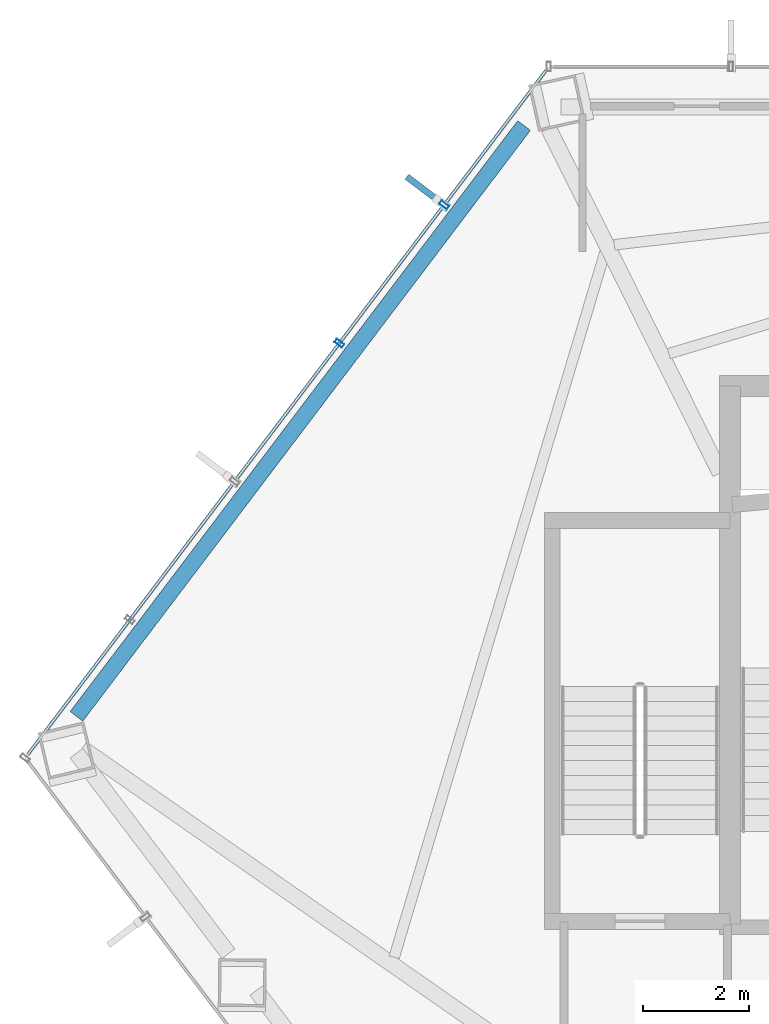
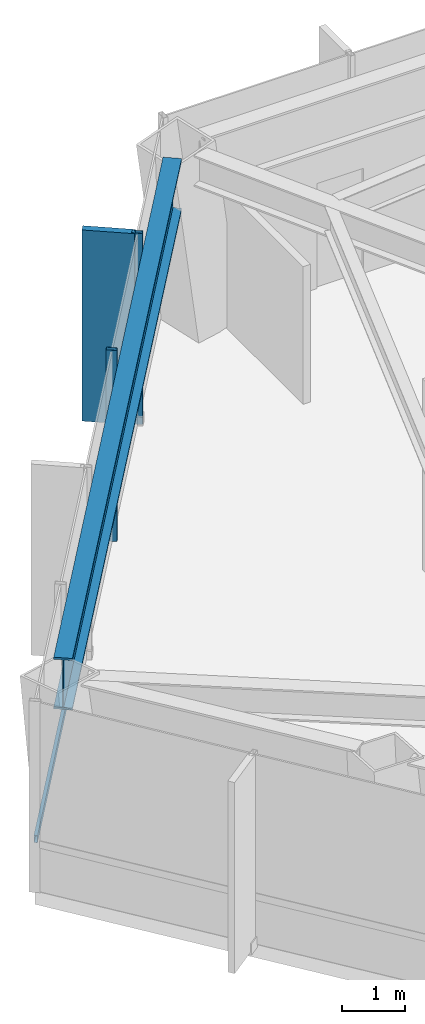
# One storey, part 11 of 25: 4 members, 1 beam, 1 element without a shape of its own.
"""IFC4 building model written with IfcOpenShell, lengths in metres."""

from ifc_helpers import new_model, si_unit, direction, frame, origin, origin_2d, place, context, subcontext, project, spatial, rectangle, hollow_rectangle, i_section, extrude, material, layer, layer_set, material_profile, profile_set, type_object, element, aggregate, save


model = new_model("IFC4")

# Units and contexts
model_context = context("Model", 3, precision=1e-05, world=origin(), true_north=direction((0.0, 1.0)))
body_context = subcontext(model_context, "Body", "Model", "MODEL_VIEW")
ifc_project = project(units=[si_unit("LENGTHUNIT", "METRE"), si_unit("AREAUNIT", "SQUARE_METRE"), si_unit("VOLUMEUNIT", "CUBIC_METRE"), si_unit("PLANEANGLEUNIT", "RADIAN"), si_unit("MASSUNIT", "GRAM", prefix="KILO")], contexts=[model_context])

# Site, building, storey
site_placement = place(None, origin())
site = spatial("IfcSite", under=ifc_project, at=site_placement, CompositionType="ELEMENT")
building_placement = place(site_placement, origin())
building = spatial("IfcBuilding", under=site, at=building_placement, Name="Zarrinselat Tower", CompositionType="ELEMENT")
storey_placement = place(building_placement, frame((0.0, 0.0, 105.06005859375)))
storey = spatial("IfcBuildingStorey", under=building, at=storey_placement, Name="L25", CompositionType="ELEMENT", Elevation=105.06005859375)

# Beam
ifc_material_1 = material(Name="Steel S460M", Category="steel")
ifc_material_profile_1 = material_profile(ifc_material_1, i_section(OverallWidth=0.302001953125, OverallDepth=1.008056640625, WebThickness=0.02099609375, FlangeThickness=0.0400390625, at=origin_2d()), Name="HEM 1000")
ifc_profile_set_1 = profile_set([ifc_material_profile_1], Name="Steel S460M")
beam_type = type_object("IfcBeamType", Name="BM-HEM1000", PredefinedType="BEAM", material=ifc_profile_set_1)
beam_placement = place(storey_placement, frame((16.211181640625, 37.18701171875, 3.225830078125), z_axis=(0.6038526688, 0.79709595055, 0.0), x_axis=(-0.79709595055, 0.6038526688, 0.0)))
element("IfcBeam", 1, at=beam_placement, inside=storey, type_object=beam_type, Name="L25 Perimeter Spandrel Girder SP05", PredefinedType="BEAM", context=body_context, shape_type="SweptSolid", body=[
    extrude(i_section(OverallWidth=0.302001953125, OverallDepth=1.008056640625, WebThickness=0.02099609375, FlangeThickness=0.0400390625, at=origin_2d()), origin(), (0.0, 0.0, 1.0), 14.047607421875),
])

# Curtain wall, members
ifc_material_2 = material(Name="Extruded Aluminium Alloy EN AW-6063 T6", Category="aluminium")
ifc_layer = layer(ifc_material_2, 0.18505859375)
ifc_layer_set = layer_set([ifc_layer], Name="Extruded Aluminium Alloy EN AW-6063 T6")
curtain_wall_type = type_object("IfcCurtainWallType", Name="CWS-OFF", PredefinedType="NOTDEFINED", material=ifc_layer_set)
curtain_wall_placement = place(storey_placement, origin())
curtain_wall = element("IfcCurtainWall", 2, at=curtain_wall_placement, inside=storey, type_object=curtain_wall_type, Name="L25 Unitised Curtain Wall CW-L25-E02", PredefinedType="NOTDEFINED")
ifc_material_3 = material(Name="Extruded Aluminium Alloy EN AW-6063 T6", Category="aluminium")
ifc_material_profile_2 = material_profile(ifc_material_3, hollow_rectangle(XDim=0.080078125, YDim=0.179931640625, WallThickness=0.0048828125, at=origin_2d()), Name="RHS 180x80x5")
ifc_profile_set_2 = profile_set([ifc_material_profile_2], Name="Extruded Aluminium Alloy EN AW-6063 T6")
member_type_1 = type_object("IfcMemberType", Name="MEM-CW-MUL", PredefinedType="MULLION", material=ifc_profile_set_2)
member_1_placement = place(storey_placement, frame((23.17822265625, 46.879150390625, 0.0), z_axis=(0.0, 0.0, 1.0), x_axis=(-0.603854877249, -0.7970942775, 0.0)))
member_1 = element("IfcMember", 3, at=member_1_placement, type_object=member_type_1, Name="CW-L25-E02 Mullion 1", PredefinedType="MULLION", context=body_context, shape_type="SweptSolid", body=[
    extrude(hollow_rectangle(XDim=0.080078125, YDim=0.179931640625, WallThickness=0.0048828125, at=origin_2d()), origin(), (0.0, 0.0, 1.0), 3.72998046875),
])
member_2_placement = place(storey_placement, frame((21.192626953125, 44.25830078125, 0.0), z_axis=(0.0, 0.0, 1.0), x_axis=(-0.603854877249, -0.7970942775, 0.0)))
member_2 = element("IfcMember", 4, at=member_2_placement, type_object=member_type_1, Name="CW-L25-E02 Mullion 2", PredefinedType="MULLION", context=body_context, shape_type="SweptSolid", body=[
    extrude(hollow_rectangle(XDim=0.080078125, YDim=0.179931640625, WallThickness=0.0048828125, at=origin_2d()), origin(), (0.0, 0.0, 1.0), 3.72998046875),
])
ifc_material_4 = material(Name="Extruded Aluminium Alloy EN AW-6063 T6", Category="aluminium")
ifc_material_profile_3 = material_profile(ifc_material_4, hollow_rectangle(XDim=0.06005859375, YDim=0.139892578125, WallThickness=0.00390625, at=origin_2d()), Name="RHS 140x60x4")
ifc_profile_set_3 = profile_set([ifc_material_profile_3], Name="Extruded Aluminium Alloy EN AW-6063 T6")
member_type_2 = type_object("IfcMemberType", Name="MEM-CW-TRN", PredefinedType="USERDEFINED", material=ifc_profile_set_3)
member_3_placement = place(storey_placement, frame((25.109375, 49.42822265625, 0.949951171875), z_axis=(-0.603860867961, -0.797089739079, 0.0), x_axis=(0.797089739079, -0.603860867961, 0.0)))
member_3 = element("IfcMember", 5, at=member_3_placement, type_object=member_type_2, Name="CW-L25-E02 Transom 1", ObjectType="TRANSOM", PredefinedType="USERDEFINED", context=body_context, shape_type="SweptSolid", body=[
    extrude(hollow_rectangle(XDim=0.06005859375, YDim=0.139892578125, WallThickness=0.00390625, at=origin_2d()), origin(), (0.0, 0.0, 1.0), 16.259765625),
])
ifc_material_5 = material(Name="Honed Cream Travertine Stone", Category="masonry")
ifc_material_profile_4 = material_profile(ifc_material_5, rectangle(XDim=0.1201171875, YDim=0.85009765625, at=origin_2d()), Name="FIN 850x120")
ifc_profile_set_4 = profile_set([ifc_material_profile_4], Name="Honed Cream Travertine Stone")
member_type_3 = type_object("IfcMemberType", Name="MEM-STONE-FIN", PredefinedType="USERDEFINED", material=ifc_profile_set_4)
member_4_placement = place(storey_placement, frame((22.8115234375, 47.156982421875, 0.0), z_axis=(0.0, 0.0, 1.0), x_axis=(0.603854877249, 0.7970942775, 0.0)))
member_4 = element("IfcMember", 6, at=member_4_placement, type_object=member_type_3, Name="L25 Stone Shading Fin CW-L25-E02-01", ObjectType="FIN", PredefinedType="USERDEFINED", context=body_context, shape_type="SweptSolid", body=[
    extrude(rectangle(XDim=0.1201171875, YDim=0.85009765625, at=origin_2d()), origin(), (0.0, 0.0, 1.0), 3.72998046875),
])
aggregate(curtain_wall, [member_1, member_4, member_2, member_3])

save(model, "model.ifc")
